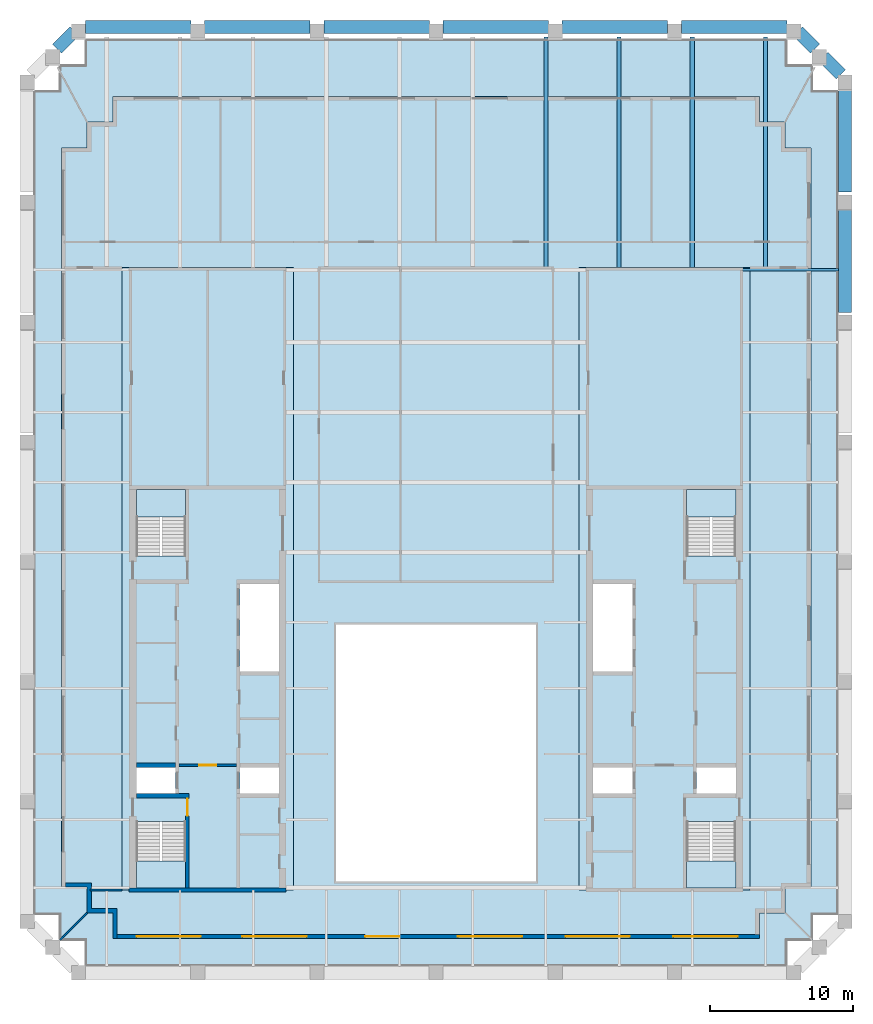
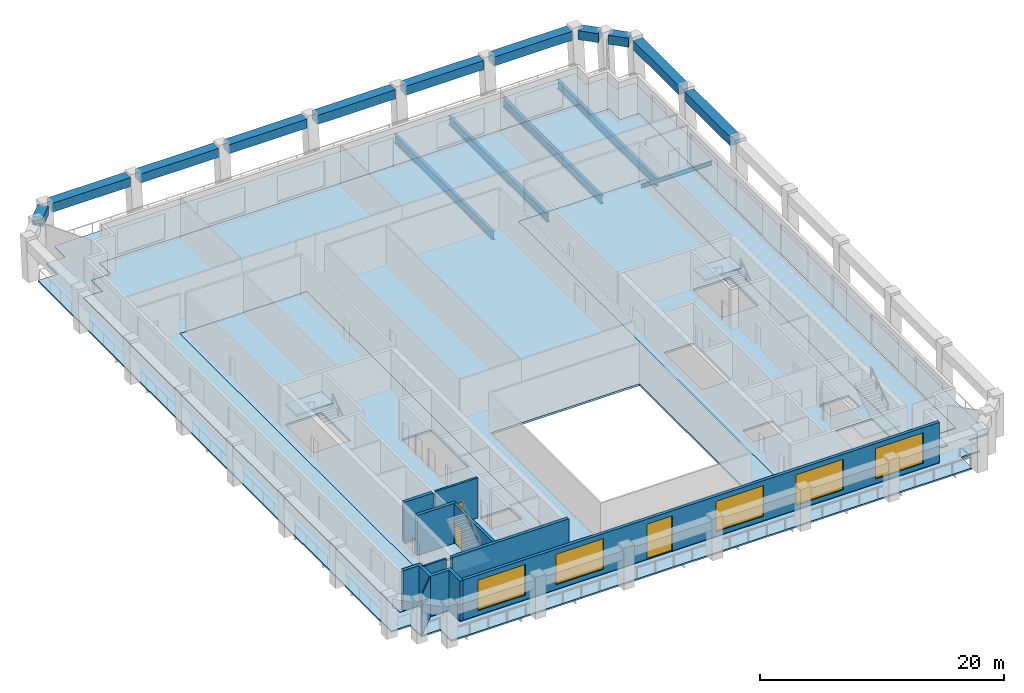
# One storey, part 2 of 8: 16 beams, 9 walls, 8 slabs, 5 windows, 3 doors, 8 openings, 4 elements without a shape of their own.
"""IFC4 building model written with IfcOpenShell, lengths in metres."""

from ifc_helpers import new_model, si_unit, direction, frame, frame_2d, origin, origin_2d, place, context, subcontext, project, spatial, polyline, rectangle, i_section, outline, extrude, material, layer, layer_set, material_profile, profile_set, type_object, element, fill, aggregate, save


model = new_model("IFC4")

# Units and contexts
model_context = context("Model", 3, precision=1e-05, world=origin(), true_north=direction((0.0, 1.0)))
body_context = subcontext(model_context, "Body", "Model", "MODEL_VIEW")
ifc_project = project(units=[si_unit("LENGTHUNIT", "METRE"), si_unit("AREAUNIT", "SQUARE_METRE"), si_unit("VOLUMEUNIT", "CUBIC_METRE"), si_unit("PLANEANGLEUNIT", "RADIAN"), si_unit("MASSUNIT", "GRAM", prefix="KILO")], contexts=[model_context])

# Site, building, storey
site_placement = place(None, origin())
site = spatial("IfcSite", under=ifc_project, at=site_placement, CompositionType="ELEMENT")
building_placement = place(site_placement, origin())
building = spatial("IfcBuilding", under=site, at=building_placement, Name="Ogive Exchange Tower", CompositionType="ELEMENT")
storey_placement = place(building_placement, frame((0.0, 0.0, 325.800048828125)))
storey = spatial("IfcBuildingStorey", under=building, at=storey_placement, Name="L71", CompositionType="ELEMENT", Elevation=325.800048828125)

# Beams
ifc_material_1 = material(Name="Steel ASTM A992 Gr50", Category="steel")
ifc_material_profile_1 = material_profile(ifc_material_1, i_section(OverallWidth=0.2919921875, OverallDepth=0.8359375, WebThickness=0.013916015625, FlangeThickness=0.018798828125, at=origin_2d()), Name="W840x176")
ifc_profile_set_1 = profile_set([ifc_material_profile_1], Name="Steel ASTM A992 Gr50")
beam_type_1 = type_object("IfcBeamType", Name="Floor beam W840x176", PredefinedType="JOIST", material=ifc_profile_set_1)
beam_1_placement = place(storey_placement, frame((7.69091796875, 40.9951171875, -0.6181640625), z_axis=(0.0, 1.0, 0.0), x_axis=(-1.0, 0.0, 0.0)))
element("IfcBeam", 1, at=beam_1_placement, inside=storey, type_object=beam_type_1, Name="Floor beam", PredefinedType="JOIST", context=body_context, shape_type="SweptSolid", body=[
    extrude(i_section(OverallWidth=0.2919921875, OverallDepth=0.8359375, WebThickness=0.013916015625, FlangeThickness=0.018798828125, at=origin_2d()), origin(), (0.0, 0.0, 1.0), 16.177490234375),
])
for number, where, z_axis, x_axis, name in (
    (2, (12.818115234375, 41.0, -0.6181640625), (0.0, 1.0, 0.0), (-1.0, 0.0, 0.0), "Floor beam"),
    (3, (17.945556640625, 41.0, -0.6181640625), (0.0, 1.0, 0.0), (-1.0, 0.0, 0.0), "Floor beam"),
):
    element("IfcBeam", number, at=place(storey_placement, frame(where, z_axis=z_axis, x_axis=x_axis)), inside=storey, type_object=beam_type_1, Name=name, PredefinedType="JOIST", context=body_context, shape_type="SweptSolid", body=[
        extrude(i_section(OverallWidth=0.2919921875, OverallDepth=0.8359375, WebThickness=0.013916015625, FlangeThickness=0.018798828125, at=origin_2d()), origin(), (0.0, 0.0, 1.0), 16.172607421875),
    ])
beam_2_placement = place(storey_placement, frame((23.07275390625, 40.93408203125, -0.6181640625), z_axis=(0.0, 1.0, 0.0), x_axis=(-1.0, 0.0, 0.0)))
element("IfcBeam", 4, at=beam_2_placement, inside=storey, type_object=beam_type_1, Name="Floor beam", PredefinedType="JOIST", context=body_context, shape_type="SweptSolid", body=[
    extrude(i_section(OverallWidth=0.2919921875, OverallDepth=0.8359375, WebThickness=0.013916015625, FlangeThickness=0.018798828125, at=origin_2d()), origin(), (0.0, 0.0, 1.0), 16.238525390625),
])
ifc_material_profile_2 = material_profile(ifc_material_1, i_section(OverallWidth=0.177978515625, OverallDepth=0.406005859375, WebThickness=0.0078125, FlangeThickness=0.0126953125, at=origin_2d()), Name="W410x60")
ifc_profile_set_2 = profile_set([ifc_material_profile_2], Name="Steel ASTM A992 Gr50")
beam_type_2 = type_object("IfcBeamType", Name="Girder W410x60", PredefinedType="BEAM", material=ifc_profile_set_2)
beam_3_placement = place(storey_placement, frame((21.47998046875, 40.844970703125, -0.403076171875), z_axis=(1.0, 0.0, 0.0), x_axis=(0.0, 1.0, 0.0)))
element("IfcBeam", 5, at=beam_3_placement, inside=storey, type_object=beam_type_2, Name="Header girder", PredefinedType="BEAM", context=body_context, shape_type="SweptSolid", body=[
    extrude(i_section(OverallWidth=0.177978515625, OverallDepth=0.406005859375, WebThickness=0.0078125, FlangeThickness=0.0126953125, at=origin_2d()), origin(), (0.0, 0.0, 1.0), 6.719970703125),
])
ifc_material_2 = material(Name="Precast concrete C70/85 (limestone faced)", Category="masonry")
ifc_material_profile_3 = material_profile(ifc_material_2, rectangle(XDim=0.89990234375, YDim=0.89990234375, at=origin_2d()), Name="900 x 900")
ifc_profile_set_3 = profile_set([ifc_material_profile_3], Name="Precast concrete C70/85 (limestone faced)")
beam_type_3 = type_object("IfcBeamType", Name="Precast spandrel 900 x 900 C70/85", PredefinedType="SPANDREL", material=ifc_profile_set_3)
for number, where, z_axis, x_axis, name in (
    (6, (28.64990234375, 37.86181640625, 3.5), (0.0, 1.0, 0.0), (-1.0, 0.0, 0.0), "Spandrel 14"),
    (7, (28.64990234375, 46.298095703125, 3.5), (0.0, 1.0, 0.0), (-1.0, 0.0, 0.0), "Spandrel 15"),
):
    element("IfcBeam", number, at=place(storey_placement, frame(where, z_axis=z_axis, x_axis=x_axis)), inside=storey, type_object=beam_type_3, Name=name, PredefinedType="SPANDREL", context=body_context, shape_type="SweptSolid", body=[
        extrude(rectangle(XDim=0.89990234375, YDim=0.89990234375, at=origin_2d()), origin(), (0.0, 0.0, 1.0), 7.476318359375),
    ])
beam_4_placement = place(storey_placement, frame((28.362060546875, 54.54248046875, 3.5), z_axis=(-0.707106781187, 0.707106781187, 0.0), x_axis=(-0.707106781187, -0.707106781187, 0.0)))
element("IfcBeam", 8, at=beam_4_placement, inside=storey, type_object=beam_type_3, Name="Spandrel 16", PredefinedType="SPANDREL", context=body_context, shape_type="SweptSolid", body=[
    extrude(rectangle(XDim=0.89990234375, YDim=0.89990234375, at=origin_2d()), origin(), (0.0, 0.0, 1.0), 1.731201171875),
])
beam_5_placement = place(storey_placement, frame((26.56201171875, 56.34228515625, 3.5), z_axis=(-0.707036271462, 0.707177283881, 0.0), x_axis=(-0.707177283881, -0.707036271462, 0.0)))
element("IfcBeam", 9, at=beam_5_placement, inside=storey, type_object=beam_type_3, Name="Spandrel 17", PredefinedType="SPANDREL", context=body_context, shape_type="SweptSolid", body=[
    extrude(rectangle(XDim=0.89990234375, YDim=0.89990234375, at=origin_2d()), origin(), (0.0, 0.0, 1.0), 1.7314453125),
])
beam_6_placement = place(storey_placement, frame((24.570068359375, 57.8544921875, 3.5), z_axis=(-1.0, 0.0, 0.0), x_axis=(0.0, -1.0, 0.0)))
element("IfcBeam", 10, at=beam_6_placement, inside=storey, type_object=beam_type_3, Name="Spandrel 18", PredefinedType="SPANDREL", context=body_context, shape_type="SweptSolid", body=[
    extrude(rectangle(XDim=0.89990234375, YDim=0.89990234375, at=origin_2d()), origin(), (0.0, 0.0, 1.0), 7.39013671875),
])
beam_7_placement = place(storey_placement, frame((16.219970703125, 57.8544921875, 3.5), z_axis=(-1.0, 0.0, 0.0), x_axis=(0.0, -1.0, 0.0)))
element("IfcBeam", 11, at=beam_7_placement, inside=storey, type_object=beam_type_3, Name="Spandrel 19", PredefinedType="SPANDREL", context=body_context, shape_type="SweptSolid", body=[
    extrude(rectangle(XDim=0.89990234375, YDim=0.89990234375, at=origin_2d()), origin(), (0.0, 0.0, 1.0), 7.389892578125),
])
for number, where, z_axis, x_axis, name in (
    (12, (7.8701171875, 57.8544921875, 3.5), (-1.0, 0.0, 0.0), (0.0, -1.0, 0.0), "Spandrel 20"),
    (13, (-0.47998046875, 57.8544921875, 3.5), (-1.0, 0.0, 0.0), (0.0, -1.0, 0.0), "Spandrel 21"),
):
    element("IfcBeam", number, at=place(storey_placement, frame(where, z_axis=z_axis, x_axis=x_axis)), inside=storey, type_object=beam_type_3, Name=name, PredefinedType="SPANDREL", context=body_context, shape_type="SweptSolid", body=[
        extrude(rectangle(XDim=0.89990234375, YDim=0.89990234375, at=origin_2d()), origin(), (0.0, 0.0, 1.0), 7.39013671875),
    ])
beam_8_placement = place(storey_placement, frame((-8.830078125, 57.8544921875, 3.5), z_axis=(-1.0, 0.0, 0.0), x_axis=(0.0, -1.0, 0.0)))
element("IfcBeam", 14, at=beam_8_placement, inside=storey, type_object=beam_type_3, Name="Spandrel 22", PredefinedType="SPANDREL", context=body_context, shape_type="SweptSolid", body=[
    extrude(rectangle(XDim=0.89990234375, YDim=0.89990234375, at=origin_2d()), origin(), (0.0, 0.0, 1.0), 7.389892578125),
])
beam_9_placement = place(storey_placement, frame((-17.179931640625, 57.8544921875, 3.5), z_axis=(-1.0, 0.0, 0.0), x_axis=(0.0, -1.0, 0.0)))
element("IfcBeam", 15, at=beam_9_placement, inside=storey, type_object=beam_type_3, Name="Spandrel 23", PredefinedType="SPANDREL", context=body_context, shape_type="SweptSolid", body=[
    extrude(rectangle(XDim=0.89990234375, YDim=0.89990234375, at=origin_2d()), origin(), (0.0, 0.0, 1.0), 7.39013671875),
])
beam_10_placement = place(storey_placement, frame((-25.337890625, 57.566650390625, 3.5), z_axis=(-0.707036271462, -0.707177283881, 0.0), x_axis=(0.707177283881, -0.707036271462, 0.0)))
element("IfcBeam", 16, at=beam_10_placement, inside=storey, type_object=beam_type_3, Name="Spandrel 24", PredefinedType="SPANDREL", context=body_context, shape_type="SweptSolid", body=[
    extrude(rectangle(XDim=0.89990234375, YDim=0.89990234375, at=origin_2d()), origin(), (0.0, 0.0, 1.0), 1.7314453125),
])

# Slabs
ifc_material_3 = material(Name="Concrete C50/60", Category="concrete")
ifc_layer_1 = layer(ifc_material_3, 0.199951171875)
ifc_layer_set_1 = layer_set([ifc_layer_1], Name="Composite floor slab 200")
slab_type_1 = type_object("IfcSlabType", Name="Composite floor slab 200", PredefinedType="FLOOR", material=ifc_layer_set_1)
slab_1_placement = place(storey_placement, frame((0.0, 0.0, -0.199951171875)))
element("IfcSlab", 17, at=slab_1_placement, inside=storey, type_object=slab_type_1, Name="Composite floor slab", PredefinedType="FLOOR", context=body_context, shape_type="SweptSolid", body=[
    extrude(outline(polyline([(-22.64990234375, -4.199951171875), (-24.449951171875, -4.199951171875), (-24.449951171875, -2.39990234375), (-26.25, -2.39990234375), (-26.25, 49.39990234375), (-24.449951171875, 49.39990234375), (-24.449951171875, 51.199951171875), (-22.64990234375, 51.199951171875), (-22.64990234375, 53.0), (22.64990234375, 53.0), (22.64990234375, 51.199951171875), (24.449951171875, 51.199951171875), (24.449951171875, 49.39990234375), (26.25, 49.39990234375), (26.25, -2.39990234375), (24.449951171875, -2.39990234375), (24.449951171875, -4.199951171875), (22.64990234375, -4.199951171875), (22.64990234375, -6.0), (-22.64990234375, -6.0), (-22.64990234375, -4.199951171875)]), holes=[polyline([(7.0, -2.0), (7.0, 16.0), (-7.0, 16.0), (-7.0, -2.0), (7.0, -2.0)]), polyline([(-22.0, -2.60009765625), (-10.0, -2.60009765625), (-10.0, 41.0), (-22.0, 41.0), (-22.0, -2.60009765625)]), polyline([(10.0, -2.60009765625), (22.0, -2.60009765625), (22.0, 41.0), (10.0, 41.0), (10.0, -2.60009765625)])]), origin(), (0.0, 0.0, 1.0), 0.199951171875),
])
ifc_material_4 = material(Name="Concrete C70/85", Category="concrete")
ifc_layer_2 = layer(ifc_material_4, 0.199951171875)
ifc_layer_set_2 = layer_set([ifc_layer_2], Name="Core floor slab 200")
slab_type_2 = type_object("IfcSlabType", Name="Core floor slab 200", PredefinedType="FLOOR", material=ifc_layer_set_2)
slab_2_placement = place(storey_placement, frame((0.0, 0.0, -0.199951171875)))
element("IfcSlab", 18, at=slab_2_placement, inside=storey, type_object=slab_type_2, Name="Core floor slab", PredefinedType="FLOOR", context=body_context, shape_type="SweptSolid", body=[
    extrude(outline(polyline([(-22.0, -2.60009765625), (-22.0, 41.0), (-10.0, 41.0), (-10.0, -2.60009765625), (-22.0, -2.60009765625)]), holes=[polyline([(-17.550048828125, 2.196044921875), (-21.0, 2.196044921875), (-21.0, -2.449951171875), (-17.550048828125, -2.449951171875), (-17.550048828125, 2.196044921875)]), polyline([(-21.0, 5.992919921875), (-21.0, 4.14990234375), (-18.25, 4.14990234375), (-18.25, 5.992919921875), (-21.0, 5.992919921875)]), polyline([(-13.75, 5.992919921875), (-13.75, 4.14990234375), (-11.0, 4.14990234375), (-11.0, 5.992919921875), (-13.75, 5.992919921875)]), polyline([(-11.0, 18.85009765625), (-13.75, 18.85009765625), (-13.75, 12.721435546875), (-11.0, 12.721435546875), (-11.0, 18.85009765625)]), polyline([(-21.0, 25.449951171875), (-21.0, 20.803955078125), (-17.550048828125, 20.803955078125), (-17.550048828125, 25.449951171875), (-21.0, 25.449951171875)])]), origin(), (0.0, 0.0, 1.0), 0.199951171875),
])
slab_3_placement = place(storey_placement, frame((0.0, 0.0, -0.199951171875)))
element("IfcSlab", 19, at=slab_3_placement, inside=storey, type_object=slab_type_2, Name="Core floor slab", PredefinedType="FLOOR", context=body_context, shape_type="SweptSolid", body=[
    extrude(outline(polyline([(10.0, -2.60009765625), (10.0, 41.0), (22.0, 41.0), (22.0, -2.60009765625), (10.0, -2.60009765625)]), holes=[polyline([(21.0, 2.196044921875), (17.550048828125, 2.196044921875), (17.550048828125, -2.449951171875), (21.0, -2.449951171875), (21.0, 2.196044921875)]), polyline([(11.0, 5.992919921875), (11.0, 4.14990234375), (13.75, 4.14990234375), (13.75, 5.992919921875), (11.0, 5.992919921875)]), polyline([(18.25, 5.992919921875), (18.25, 4.14990234375), (21.0, 4.14990234375), (21.0, 5.992919921875), (18.25, 5.992919921875)]), polyline([(13.75, 18.85009765625), (11.0, 18.85009765625), (11.0, 12.721435546875), (13.75, 12.721435546875), (13.75, 18.85009765625)]), polyline([(17.550048828125, 25.449951171875), (17.550048828125, 20.803955078125), (21.0, 20.803955078125), (21.0, 25.449951171875), (17.550048828125, 25.449951171875)])]), origin(), (0.0, 0.0, 1.0), 0.199951171875),
])
ifc_layer_3 = layer(ifc_material_3, 0.14990234375)
ifc_layer_set_3 = layer_set([ifc_layer_3], Name="Loggia deck 150")
slab_type_3 = type_object("IfcSlabType", Name="Loggia deck 150", PredefinedType="FLOOR", material=ifc_layer_set_3)
slab_4_placement = place(storey_placement, frame((0.0, 0.0, -0.199951171875)))
element("IfcSlab", 20, at=slab_4_placement, inside=storey, type_object=slab_type_3, Name="Loggia deck", PredefinedType="FLOOR", context=body_context, shape_type="SweptSolid", body=[
    extrude(outline(polyline([(-24.60009765625, -6.14990234375), (-26.39990234375, -6.14990234375), (-26.39990234375, -4.35009765625), (-28.199951171875, -4.35009765625), (-28.199951171875, 53.422607421875), (-26.39990234375, 53.422607421875), (-26.39990234375, 55.22265625), (-24.60009765625, 55.22265625), (-24.60009765625, 57.022705078125), (24.60009765625, 57.022705078125), (24.60009765625, 55.22265625), (26.39990234375, 55.22265625), (26.39990234375, 53.422607421875), (28.199951171875, 53.422607421875), (28.199951171875, -4.35009765625), (26.39990234375, -4.35009765625), (26.39990234375, -6.14990234375), (24.60009765625, -6.14990234375), (24.60009765625, -7.949951171875), (-24.60009765625, -7.949951171875), (-24.60009765625, -6.14990234375)]), holes=[polyline([(22.64990234375, -4.199951171875), (24.449951171875, -4.199951171875), (24.449951171875, -2.39990234375), (26.25, -2.39990234375), (26.25, 49.39990234375), (24.449951171875, 49.39990234375), (24.449951171875, 51.199951171875), (22.64990234375, 51.199951171875), (22.64990234375, 53.0), (-22.64990234375, 53.0), (-22.64990234375, 51.199951171875), (-24.449951171875, 51.199951171875), (-24.449951171875, 49.39990234375), (-26.25, 49.39990234375), (-26.25, -2.39990234375), (-24.449951171875, -2.39990234375), (-24.449951171875, -4.199951171875), (-22.64990234375, -4.199951171875), (-22.64990234375, -6.0), (22.64990234375, -6.0), (22.64990234375, -4.199951171875)])]), origin(), (0.0, 0.0, 1.0), 0.14990234375),
])

# Stair, slab
ifc_material_5 = material(Name="Concrete C40/50", Category="concrete")
stair_type = type_object("IfcStairType", Name="Exit stair 1650 wide", PredefinedType="HALF_TURN_STAIR", material=ifc_material_5)
stair_1_placement = place(storey_placement, origin())
stair_1 = element("IfcStair", 21, at=stair_1_placement, inside=storey, type_object=stair_type, Name="L71 exit stair ST1", PredefinedType="HALF_TURN_STAIR")
ifc_layer_4 = layer(ifc_material_5, 0.199951171875)
ifc_layer_set_4 = layer_set([ifc_layer_4], Name="Stair landing 200 slab")
slab_type_4 = type_object("IfcSlabType", Name="Stair landing 200 slab", PredefinedType="LANDING", material=ifc_layer_set_4)
slab_5_placement = place(storey_placement, frame((0.0, 0.0, 1.89990234375)))
slab_5 = element("IfcSlab", 22, at=slab_5_placement, type_object=slab_type_4, Name="ST1 landing 1", PredefinedType="LANDING", context=body_context, shape_type="SweptSolid", body=[
    extrude(outline(polyline([(-21.0, -0.550048828125), (-21.0, -2.449951171875), (-17.550048828125, -2.449951171875), (-17.550048828125, -0.550048828125), (-21.0, -0.550048828125)])), origin(), (0.0, 0.0, 1.0), 0.199951171875),
])
aggregate(stair_1, [slab_5])

stair_2_placement = place(storey_placement, origin())
stair_2 = element("IfcStair", 23, at=stair_2_placement, inside=storey, type_object=stair_type, Name="L71 exit stair ST2", PredefinedType="HALF_TURN_STAIR")
slab_6_placement = place(storey_placement, frame((0.0, 0.0, 1.89990234375)))
slab_6 = element("IfcSlab", 24, at=slab_6_placement, type_object=slab_type_4, Name="ST2 landing 1", PredefinedType="LANDING", context=body_context, shape_type="SweptSolid", body=[
    extrude(outline(polyline([(-17.550048828125, 23.550048828125), (-17.550048828125, 25.449951171875), (-21.0, 25.449951171875), (-21.0, 23.550048828125), (-17.550048828125, 23.550048828125)])), origin(), (0.0, 0.0, 1.0), 0.199951171875),
])
aggregate(stair_2, [slab_6])

stair_3_placement = place(storey_placement, origin())
stair_3 = element("IfcStair", 25, at=stair_3_placement, inside=storey, type_object=stair_type, Name="L71 exit stair ST3", PredefinedType="HALF_TURN_STAIR")
slab_7_placement = place(storey_placement, frame((0.0, 0.0, 1.89990234375)))
slab_7 = element("IfcSlab", 26, at=slab_7_placement, type_object=slab_type_4, Name="ST3 landing 1", PredefinedType="LANDING", context=body_context, shape_type="SweptSolid", body=[
    extrude(outline(polyline([(17.550048828125, -0.550048828125), (17.550048828125, -2.449951171875), (21.0, -2.449951171875), (21.0, -0.550048828125), (17.550048828125, -0.550048828125)])), origin(), (0.0, 0.0, 1.0), 0.199951171875),
])
aggregate(stair_3, [slab_7])

stair_4_placement = place(storey_placement, origin())
stair_4 = element("IfcStair", 27, at=stair_4_placement, inside=storey, type_object=stair_type, Name="L71 exit stair ST4", PredefinedType="HALF_TURN_STAIR")
slab_8_placement = place(storey_placement, frame((0.0, 0.0, 1.89990234375)))
slab_8 = element("IfcSlab", 28, at=slab_8_placement, type_object=slab_type_4, Name="ST4 landing 1", PredefinedType="LANDING", context=body_context, shape_type="SweptSolid", body=[
    extrude(outline(polyline([(21.0, 23.550048828125), (21.0, 25.449951171875), (17.550048828125, 25.449951171875), (17.550048828125, 23.550048828125), (21.0, 23.550048828125)])), origin(), (0.0, 0.0, 1.0), 0.199951171875),
])
aggregate(stair_4, [slab_8])

# Wall
ifc_material_6 = material(Name="Fire partition EI 60 150")
ifc_layer_5 = layer(ifc_material_6, 0.14990234375)
ifc_layer_set_5 = layer_set([ifc_layer_5], Name="Fire partition EI 60 150")
wall_type_1 = type_object("IfcWallType", Name="Fire partition EI 60 150", PredefinedType="PARTITIONING", material=ifc_layer_set_5)
wall_1_placement = place(storey_placement, frame((-24.25, -2.60009765625, 0.0), z_axis=(0.0, 0.0, 1.0), x_axis=(1.0, 0.0, 0.0)))
element("IfcWall", 29, at=wall_1_placement, inside=storey, type_object=wall_type_1, Name="L71-PWL-002", PredefinedType="PARTITIONING", context=body_context, shape_type="SweptSolid", body=[
    extrude(rectangle(XDim=2.25, YDim=0.14990234375, at=frame_2d((1.125, 0.0))), origin(), (0.0, 0.0, 1.0), 4.0),
])

# Wall, openings, door, windows
ifc_material_7 = material(Name="Precast concrete C40/50", Category="concrete")
ifc_layer_6 = layer(ifc_material_7, 0.300048828125)
ifc_layer_set_6 = layer_set([ifc_layer_6], Name="Limestone-faced wall 300")
wall_type_2 = type_object("IfcWallType", Name="Limestone-faced wall 300", PredefinedType="STANDARD", material=ifc_layer_set_6)
wall_2_placement = place(storey_placement, frame((-22.35009765625, -5.85009765625, 0.0), z_axis=(0.0, 0.0, 1.0), x_axis=(1.0, 0.0, 0.0)))
wall_2 = element("IfcWall", 30, at=wall_2_placement, inside=storey, type_object=wall_type_2, Name="External wall S1", PredefinedType="STANDARD", context=body_context, shape_type="SweptSolid", body=[
    extrude(rectangle(XDim=45.0, YDim=0.300048828125, at=frame_2d((22.5, 0.0))), origin(), (0.0, 0.0, 1.0), 4.0),
])
opening_1_placement = place(wall_2_placement, frame((1.375, 0.0, 0.449951171875)))
opening_1 = element("IfcOpeningElement", 31, at=opening_1_placement, cuts=wall_2, Name="Opening W1", PredefinedType="OPENING", context=body_context, shape_type="SweptSolid", body=[
    extrude(rectangle(XDim=4.5, YDim=3.050048828125, at=frame_2d((2.25, 1.52490234375))), frame((0.0, 0.159912109375, 0.0), z_axis=(0.0, -1.0, 0.0), x_axis=(1.0, 0.0, 0.0)), (0.0, 0.0, 1.0), 0.320068359375),
])
opening_2_placement = place(wall_2_placement, frame((8.77490234375, 0.0, 0.449951171875)))
opening_2 = element("IfcOpeningElement", 32, at=opening_2_placement, cuts=wall_2, Name="Opening W1", PredefinedType="OPENING", context=body_context, shape_type="SweptSolid", body=[
    extrude(rectangle(XDim=4.5, YDim=3.050048828125, at=frame_2d((2.25, 1.52490234375))), frame((0.0, 0.159912109375, 0.0), z_axis=(0.0, -1.0, 0.0), x_axis=(1.0, 0.0, 0.0)), (0.0, 0.0, 1.0), 0.320068359375),
])
opening_3_placement = place(wall_2_placement, frame((17.375, 0.0, 0.0)))
opening_3 = element("IfcOpeningElement", 33, at=opening_3_placement, cuts=wall_2, Name="Opening D1", PredefinedType="OPENING", context=body_context, shape_type="SweptSolid", body=[
    extrude(rectangle(XDim=2.39990234375, YDim=3.5, at=frame_2d((1.199951171875, 1.75))), frame((0.0, 0.159912109375, 0.0), z_axis=(0.0, -1.0, 0.0), x_axis=(1.0, 0.0, 0.0)), (0.0, 0.0, 1.0), 0.320068359375),
])
opening_4_placement = place(wall_2_placement, frame((23.875, 0.0, 0.449951171875)))
opening_4 = element("IfcOpeningElement", 34, at=opening_4_placement, cuts=wall_2, Name="Opening W1", PredefinedType="OPENING", context=body_context, shape_type="SweptSolid", body=[
    extrude(rectangle(XDim=4.5, YDim=3.050048828125, at=frame_2d((2.25, 1.52490234375))), frame((0.0, 0.159912109375, 0.0), z_axis=(0.0, -1.0, 0.0), x_axis=(1.0, 0.0, 0.0)), (0.0, 0.0, 1.0), 0.320068359375),
])
opening_5_placement = place(wall_2_placement, frame((31.425048828125, 0.0, 0.449951171875)))
opening_5 = element("IfcOpeningElement", 35, at=opening_5_placement, cuts=wall_2, Name="Opening W1", PredefinedType="OPENING", context=body_context, shape_type="SweptSolid", body=[
    extrude(rectangle(XDim=4.5, YDim=3.050048828125, at=frame_2d((2.25, 1.52490234375))), frame((0.0, 0.159912109375, 0.0), z_axis=(0.0, -1.0, 0.0), x_axis=(1.0, 0.0, 0.0)), (0.0, 0.0, 1.0), 0.320068359375),
])
opening_6_placement = place(wall_2_placement, frame((38.97509765625, 0.0, 0.449951171875)))
opening_6 = element("IfcOpeningElement", 36, at=opening_6_placement, cuts=wall_2, Name="Opening W1", PredefinedType="OPENING", context=body_context, shape_type="SweptSolid", body=[
    extrude(rectangle(XDim=4.5, YDim=3.050048828125, at=frame_2d((2.25, 1.52490234375))), frame((0.0, 0.159912109375, 0.0), z_axis=(0.0, -1.0, 0.0), x_axis=(1.0, 0.0, 0.0)), (0.0, 0.0, 1.0), 0.320068359375),
])
ifc_material_8 = material(Name="Clear glass in bronze frame", Category="glass")
door_type_1 = type_object("IfcDoorType", Name="Sliding loggia door 2400 x 3500", OperationType="DOUBLE_DOOR_SLIDING", PredefinedType="DOOR", material=ifc_material_8)
door_1_placement = place(opening_3_placement, origin())
door_1 = element("IfcDoor", 37, at=door_1_placement, inside=storey, type_object=door_type_1, Name="Loggia door S02", OperationType="DOUBLE_DOOR_SLIDING", OverallHeight=3.5, OverallWidth=2.39990234375, PredefinedType="DOOR", context=body_context, shape_type="SweptSolid", body=[
    extrude(rectangle(XDim=2.39990234375, YDim=3.5, at=frame_2d((1.199951171875, 1.75))), frame((0.0, 0.02490234375, 0.0), z_axis=(0.0, -1.0, 0.0), x_axis=(1.0, 0.0, 0.0)), (0.0, 0.0, 1.0), 0.050048828125),
])
fill(opening_3, door_1)
window_type = type_object("IfcWindowType", Name="Twin lancet window 4500 x 3050", PartitioningType="DOUBLE_PANEL_VERTICAL", PredefinedType="WINDOW", material=ifc_material_8)
window_1_placement = place(opening_1_placement, origin())
window_1 = element("IfcWindow", 38, at=window_1_placement, inside=storey, type_object=window_type, Name="Window S00", OverallHeight=3.050048828125, OverallWidth=4.5, PartitioningType="DOUBLE_PANEL_VERTICAL", PredefinedType="WINDOW", context=body_context, shape_type="SweptSolid", body=[
    extrude(rectangle(XDim=4.5, YDim=3.050048828125, at=frame_2d((2.25, 1.52490234375))), frame((0.0, 0.030029296875, 0.0), z_axis=(0.0, -1.0, 0.0), x_axis=(1.0, 0.0, 0.0)), (0.0, 0.0, 1.0), 0.06005859375),
])
fill(opening_1, window_1)
window_2_placement = place(opening_2_placement, origin())
window_2 = element("IfcWindow", 39, at=window_2_placement, inside=storey, type_object=window_type, Name="Window S01", OverallHeight=3.050048828125, OverallWidth=4.5, PartitioningType="DOUBLE_PANEL_VERTICAL", PredefinedType="WINDOW", context=body_context, shape_type="SweptSolid", body=[
    extrude(rectangle(XDim=4.5, YDim=3.050048828125, at=frame_2d((2.25, 1.52490234375))), frame((0.0, 0.030029296875, 0.0), z_axis=(0.0, -1.0, 0.0), x_axis=(1.0, 0.0, 0.0)), (0.0, 0.0, 1.0), 0.06005859375),
])
fill(opening_2, window_2)
window_3_placement = place(opening_4_placement, origin())
window_3 = element("IfcWindow", 40, at=window_3_placement, inside=storey, type_object=window_type, Name="Window S03", OverallHeight=3.050048828125, OverallWidth=4.5, PartitioningType="DOUBLE_PANEL_VERTICAL", PredefinedType="WINDOW", context=body_context, shape_type="SweptSolid", body=[
    extrude(rectangle(XDim=4.5, YDim=3.050048828125, at=frame_2d((2.25, 1.52490234375))), frame((0.0, 0.030029296875, 0.0), z_axis=(0.0, -1.0, 0.0), x_axis=(1.0, 0.0, 0.0)), (0.0, 0.0, 1.0), 0.06005859375),
])
fill(opening_4, window_3)
window_4_placement = place(opening_5_placement, origin())
window_4 = element("IfcWindow", 41, at=window_4_placement, inside=storey, type_object=window_type, Name="Window S04", OverallHeight=3.050048828125, OverallWidth=4.5, PartitioningType="DOUBLE_PANEL_VERTICAL", PredefinedType="WINDOW", context=body_context, shape_type="SweptSolid", body=[
    extrude(rectangle(XDim=4.5, YDim=3.050048828125, at=frame_2d((2.25, 1.52490234375))), frame((0.0, 0.030029296875, 0.0), z_axis=(0.0, -1.0, 0.0), x_axis=(1.0, 0.0, 0.0)), (0.0, 0.0, 1.0), 0.06005859375),
])
fill(opening_5, window_4)
window_5_placement = place(opening_6_placement, origin())
window_5 = element("IfcWindow", 42, at=window_5_placement, inside=storey, type_object=window_type, Name="Window S05", OverallHeight=3.050048828125, OverallWidth=4.5, PartitioningType="DOUBLE_PANEL_VERTICAL", PredefinedType="WINDOW", context=body_context, shape_type="SweptSolid", body=[
    extrude(rectangle(XDim=4.5, YDim=3.050048828125, at=frame_2d((2.25, 1.52490234375))), frame((0.0, 0.030029296875, 0.0), z_axis=(0.0, -1.0, 0.0), x_axis=(1.0, 0.0, 0.0)), (0.0, 0.0, 1.0), 0.06005859375),
])
fill(opening_6, window_5)

# Walls
wall_3_placement = place(storey_placement, origin())
element("IfcWall", 43, at=wall_3_placement, inside=storey, type_object=wall_type_2, Name="External corner wall C4", PredefinedType="STANDARD", context=body_context, shape_type="SweptSolid", body=[
    extrude(outline(polyline([(-22.64990234375, -4.199951171875), (-24.449951171875, -4.199951171875), (-24.449951171875, -2.39990234375), (-25.949951171875, -2.39990234375), (-25.949951171875, -2.10009765625), (-24.14990234375, -2.10009765625), (-24.14990234375, -3.89990234375), (-22.35009765625, -3.89990234375), (-22.35009765625, -6.0), (-22.64990234375, -6.0), (-22.64990234375, -4.199951171875)])), origin(), (0.0, 0.0, 1.0), 4.0),
])
ifc_material_9 = material(Name="Laminated safety glass in steel frame", Category="steel")
ifc_layer_7 = layer(ifc_material_9, 0.10009765625)
ifc_layer_set_7 = layer_set([ifc_layer_7], Name="Loggia end screen 100")
wall_type_3 = type_object("IfcWallType", Name="Loggia end screen 100", PredefinedType="STANDARD", material=ifc_layer_set_7)
wall_4_placement = place(storey_placement, frame((-24.449951171875, -4.199951171875, -0.050048828125), z_axis=(0.0, 0.0, 1.0), x_axis=(-0.707106781187, -0.707106781187, 0.0)))
element("IfcWall", 44, at=wall_4_placement, inside=storey, type_object=wall_type_3, Name="Loggia end screen C4", PredefinedType="STANDARD", context=body_context, shape_type="SweptSolid", body=[
    extrude(rectangle(XDim=2.667236328125, YDim=0.10009765625, at=frame_2d((1.33349609375, 0.0))), origin(), (0.0, 0.0, 1.0), 4.050048828125),
])

# Wall, opening, door
ifc_layer_8 = layer(ifc_material_4, 0.199951171875)
ifc_layer_set_8 = layer_set([ifc_layer_8], Name="RC core wall 200 C70/85")
wall_type_4 = type_object("IfcWallType", Name="RC core wall 200 C70/85", PredefinedType="SHEAR", material=ifc_layer_set_8)
wall_5_placement = place(storey_placement, frame((-18.0, 6.142822265625, 0.0), z_axis=(0.0, 0.0, 1.0), x_axis=(1.0, 0.0, 0.0)))
wall_5 = element("IfcWall", 45, at=wall_5_placement, inside=storey, type_object=wall_type_4, Name="W firefighting lobby wall", PredefinedType="SHEAR", context=body_context, shape_type="SweptSolid", body=[
    extrude(rectangle(XDim=4.0, YDim=0.199951171875, at=frame_2d((2.0, 0.0))), origin(), (0.0, 0.0, 1.0), 4.0),
])
opening_7_placement = place(wall_5_placement, frame((1.39990234375, 0.0, 0.0)))
opening_7 = element("IfcOpeningElement", 46, at=opening_7_placement, cuts=wall_5, Name="Opening L71-C11", PredefinedType="OPENING", context=body_context, shape_type="SweptSolid", body=[
    extrude(rectangle(XDim=1.199951171875, YDim=2.10009765625, at=frame_2d((0.60009765625, 1.050048828125))), frame((0.0, 0.10986328125, 0.0), z_axis=(0.0, -1.0, 0.0), x_axis=(1.0, 0.0, 0.0)), (0.0, 0.0, 1.0), 0.219970703125),
])
ifc_material_10 = material(Name="Steel fire door", Category="steel")
door_type_2 = type_object("IfcDoorType", Name="Firefighting lobby door FD60 1200 x 2100", OperationType="NOTDEFINED", PredefinedType="DOOR", material=ifc_material_10)
door_2_placement = place(opening_7_placement, frame((1.199951171875, 0.0, 0.0), z_axis=(0.0, 0.0, 1.0), x_axis=(-1.0, 0.0, 0.0)))
door_2 = element("IfcDoor", 47, at=door_2_placement, inside=storey, type_object=door_type_2, Name="Firefighting lobby door", ObjectType="CD3", OperationType="SINGLE_SWING_LEFT", OverallHeight=2.10009765625, OverallWidth=1.199951171875, PredefinedType="DOOR", context=body_context, shape_type="SweptSolid", body=[
    extrude(rectangle(XDim=1.199951171875, YDim=2.10009765625, at=frame_2d((0.60009765625, 1.050048828125))), frame((0.0, 0.02490234375, 0.0), z_axis=(0.0, -1.0, 0.0), x_axis=(1.0, 0.0, 0.0)), (0.0, 0.0, 1.0), 0.050048828125),
])
fill(opening_7, door_2)

ifc_layer_9 = layer(ifc_material_4, 0.25)
ifc_layer_set_9 = layer_set([ifc_layer_9], Name="RC core wall 250 C70/85")
wall_type_5 = type_object("IfcWallType", Name="RC core wall 250 C70/85", PredefinedType="SHEAR", material=ifc_layer_set_9)
wall_6_placement = place(storey_placement, frame((-17.425048828125, -2.449951171875, 0.0), z_axis=(0.0, 0.0, 1.0), x_axis=(0.0, 1.0, 0.0)))
wall_6 = element("IfcWall", 48, at=wall_6_placement, inside=storey, type_object=wall_type_5, Name="W stair S front wall", PredefinedType="SHEAR", context=body_context, shape_type="SweptSolid", body=[
    extrude(rectangle(XDim=6.300048828125, YDim=0.25, at=frame_2d((3.14990234375, 0.0))), origin(), (0.0, 0.0, 1.0), 4.0),
])
opening_8_placement = place(wall_6_placement, frame((5.050048828125, 0.0, 0.0)))
opening_8 = element("IfcOpeningElement", 49, at=opening_8_placement, cuts=wall_6, Name="Opening L71-C13", PredefinedType="OPENING", context=body_context, shape_type="SweptSolid", body=[
    extrude(rectangle(XDim=1.199951171875, YDim=2.10009765625, at=frame_2d((0.60009765625, 1.050048828125))), frame((0.0, 0.135009765625, 0.0), z_axis=(0.0, -1.0, 0.0), x_axis=(1.0, 0.0, 0.0)), (0.0, 0.0, 1.0), 0.27001953125),
])
door_type_3 = type_object("IfcDoorType", Name="Stair door FD90 1200 x 2100", OperationType="NOTDEFINED", PredefinedType="DOOR", material=ifc_material_10)
door_3_placement = place(opening_8_placement, origin())
door_3 = element("IfcDoor", 50, at=door_3_placement, inside=storey, type_object=door_type_3, Name="Stair door", ObjectType="CD5", OperationType="SINGLE_SWING_LEFT", OverallHeight=2.10009765625, OverallWidth=1.199951171875, PredefinedType="DOOR", context=body_context, shape_type="SweptSolid", body=[
    extrude(rectangle(XDim=1.199951171875, YDim=2.10009765625, at=frame_2d((0.60009765625, 1.050048828125))), frame((0.0, 0.02490234375, 0.0), z_axis=(0.0, -1.0, 0.0), x_axis=(1.0, 0.0, 0.0)), (0.0, 0.0, 1.0), 0.050048828125),
])
fill(opening_8, door_3)

# Walls
ifc_layer_10 = layer(ifc_material_4, 0.300048828125)
ifc_layer_set_10 = layer_set([ifc_layer_10], Name="RC core wall 300 C70/85")
wall_type_6 = type_object("IfcWallType", Name="RC core wall 300 C70/85", PredefinedType="SHEAR", material=ifc_layer_set_10)
wall_7_placement = place(storey_placement, frame((-21.5, -2.60009765625, 0.0), z_axis=(0.0, 0.0, 1.0), x_axis=(1.0, 0.0, 0.0)))
element("IfcWall", 51, at=wall_7_placement, inside=storey, type_object=wall_type_6, Name="W south end wall", PredefinedType="SHEAR", context=body_context, shape_type="SweptSolid", body=[
    extrude(rectangle(XDim=11.0, YDim=0.300048828125, at=frame_2d((5.5, 0.0))), origin(), (0.0, 0.0, 1.0), 4.0),
])
wall_8_placement = place(storey_placement, frame((-21.0, 4.0, 0.0), z_axis=(0.0, 0.0, 1.0), x_axis=(1.0, 0.0, 0.0)))
element("IfcWall", 52, at=wall_8_placement, inside=storey, type_object=wall_type_6, Name="W stair S north wall", PredefinedType="SHEAR", context=body_context, shape_type="SweptSolid", body=[
    extrude(rectangle(XDim=3.699951171875, YDim=0.300048828125, at=frame_2d((1.85009765625, 0.0))), origin(), (0.0, 0.0, 1.0), 4.0),
])
wall_9_placement = place(storey_placement, frame((-21.0, 6.142822265625, 0.0), z_axis=(0.0, 0.0, 1.0), x_axis=(1.0, 0.0, 0.0)))
element("IfcWall", 53, at=wall_9_placement, inside=storey, type_object=wall_type_6, Name="W row A divider 1", PredefinedType="SHEAR", context=body_context, shape_type="SweptSolid", body=[
    extrude(rectangle(XDim=2.75, YDim=0.300048828125, at=frame_2d((1.375, 0.0))), origin(), (0.0, 0.0, 1.0), 4.0),
])

save(model, "model.ifc")
